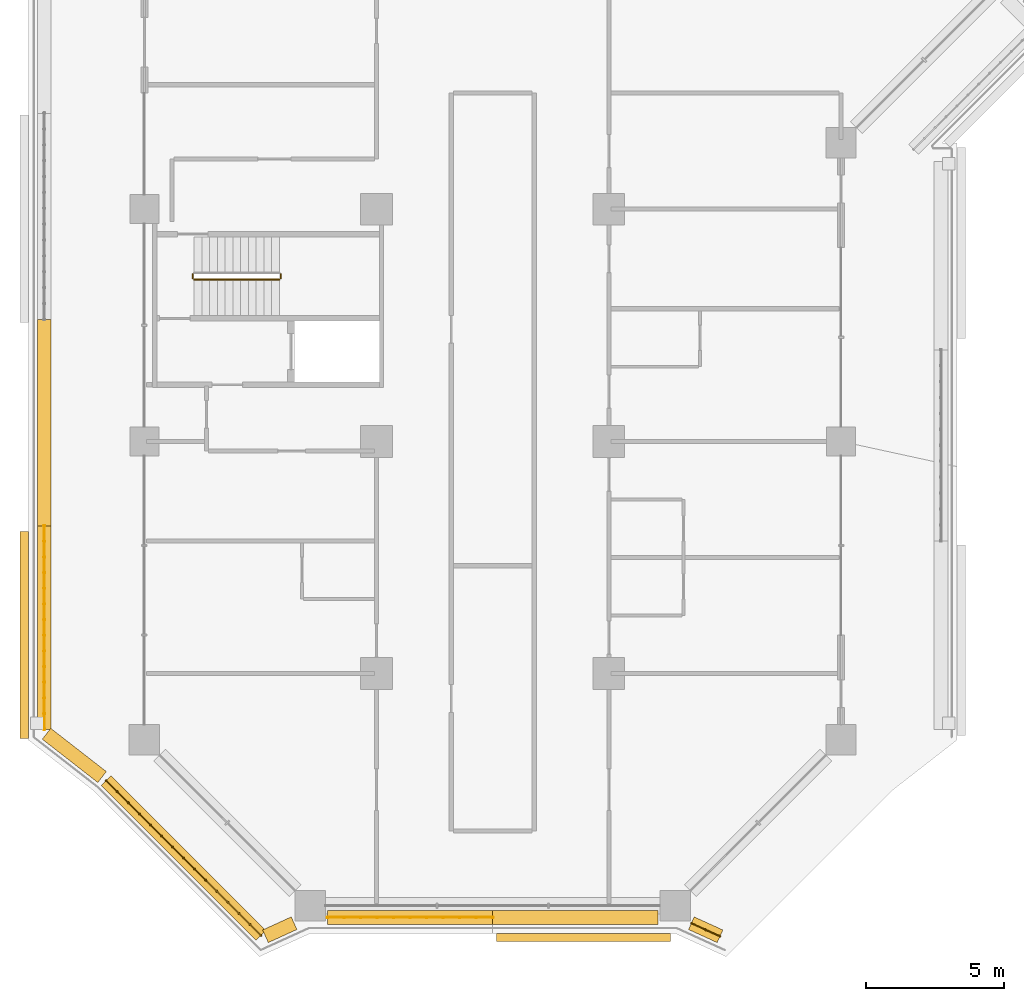
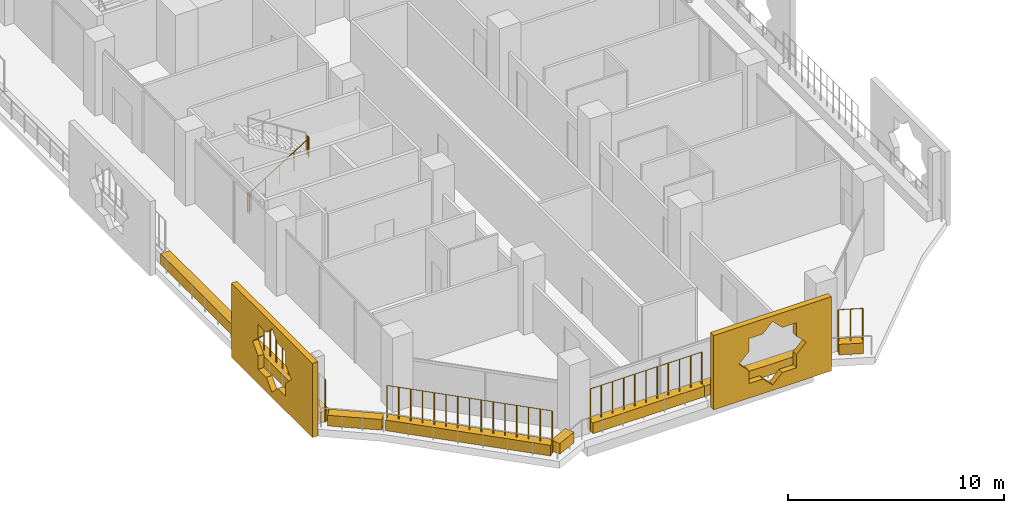
# One storey, part 19 of 25: 10 coverings, 7 railings.
"""IFC4 building model written with IfcOpenShell, lengths in metres."""

from ifc_helpers import new_model, si_unit, direction, frame, origin, origin_2d, place, context, subcontext, project, spatial, polyline, rectangle, circle, outline, extrude, material, material_profile, profile_set, type_object, element, save


model = new_model("IFC4")

# Units and contexts
model_context = context("Model", 3, precision=1e-05, world=origin(), true_north=direction((0.0, 1.0)))
body_context = subcontext(model_context, "Body", "Model", "MODEL_VIEW")
ifc_project = project(units=[si_unit("LENGTHUNIT", "METRE"), si_unit("AREAUNIT", "SQUARE_METRE"), si_unit("VOLUMEUNIT", "CUBIC_METRE"), si_unit("PLANEANGLEUNIT", "RADIAN"), si_unit("MASSUNIT", "GRAM", prefix="KILO")], contexts=[model_context])

# Site, building, storey
site_placement = place(None, origin())
site = spatial("IfcSite", under=ifc_project, at=site_placement, CompositionType="ELEMENT")
building_placement = place(site_placement, origin())
building = spatial("IfcBuilding", under=site, at=building_placement, Name="Kawkab Arch Medical Tower", CompositionType="ELEMENT")
storey_placement = place(building_placement, frame((0.0, 0.0, 136.60009765625)))
storey = spatial("IfcBuildingStorey", under=building, at=storey_placement, Name="L31", CompositionType="ELEMENT", Elevation=136.60009765625)

# Coverings
ifc_material_1 = material(Name="Bronze anodised aluminium mashrabiya panel, eight-point star pattern", Category="aluminium")
ifc_material_profile_1 = material_profile(ifc_material_1, outline(polyline([(-3.14990234375, -2.10009765625), (3.14990234375, -2.10009765625), (3.14990234375, 2.10009765625), (-3.14990234375, 2.10009765625), (-3.14990234375, -2.10009765625)]), holes=[polyline([(1.800048828125, 0.0), (1.272705078125, 0.527099609375), (1.272705078125, 1.272705078125), (0.527099609375, 1.272705078125), (0.0, 1.800048828125), (-0.527099609375, 1.272705078125), (-1.272705078125, 1.272705078125), (-1.272705078125, 0.527099609375), (-1.800048828125, 0.0), (-1.272705078125, -0.527099609375), (-1.272705078125, -1.272705078125), (-0.527099609375, -1.272705078125), (0.0, -1.800048828125), (0.527099609375, -1.272705078125), (1.272705078125, -1.272705078125), (1.272705078125, -0.527099609375), (1.800048828125, 0.0)])]), Name="Mashrabiya panel 6300x4200")
ifc_profile_set_1 = profile_set([ifc_material_profile_1], Name="Bronze anodised aluminium mashrabiya panel, eight-point star pattern")
covering_type_1 = type_object("IfcCoveringType", Name="Mashrabiya panel 6300 x 4200", PredefinedType="USERDEFINED", material=ifc_profile_set_1)
covering_1_placement = place(storey_placement, frame((15.881103515625, -59.800048828125, 1.699951171875), z_axis=(0.0, -1.0, 0.0), x_axis=(1.0, 0.0, 0.0)))
element("IfcCovering", 1, at=covering_1_placement, inside=storey, type_object=covering_type_1, Name="Mashrabiya panel L31.LOG-01-01.1", ObjectType="SCREEN", PredefinedType="USERDEFINED", context=body_context, shape_type="SweptSolid", body=[
    extrude(outline(polyline([(-3.14990234375, -2.10009765625), (3.14990234375, -2.10009765625), (3.14990234375, 2.10009765625), (-3.14990234375, 2.10009765625), (-3.14990234375, -2.10009765625)]), holes=[polyline([(1.800048828125, 0.0), (1.272705078125, 0.527099609375), (1.272705078125, 1.272705078125), (0.527099609375, 1.272705078125), (0.0, 1.800048828125), (-0.527099609375, 1.272705078125), (-1.272705078125, 1.272705078125), (-1.272705078125, 0.527099609375), (-1.800048828125, 0.0), (-1.272705078125, -0.527099609375), (-1.272705078125, -1.272705078125), (-0.527099609375, -1.272705078125), (0.0, -1.800048828125), (0.527099609375, -1.272705078125), (1.272705078125, -1.272705078125), (1.272705078125, -0.527099609375), (1.800048828125, 0.0)])]), origin(), (0.0, 0.0, 1.0), 0.300048828125),
])
ifc_material_2 = material(Name="Bronze anodised aluminium mashrabiya panel, eight-point star pattern", Category="aluminium")
ifc_material_profile_2 = material_profile(ifc_material_2, outline(polyline([(-3.75, -2.10009765625), (3.75, -2.10009765625), (3.75, 2.10009765625), (-3.75, 2.10009765625), (-3.75, -2.10009765625)]), holes=[polyline([(1.800048828125, 0.0), (1.272705078125, 0.527099609375), (1.272705078125, 1.272705078125), (0.527099609375, 1.272705078125), (0.0, 1.800048828125), (-0.527099609375, 1.272705078125), (-1.272705078125, 1.272705078125), (-1.272705078125, 0.527099609375), (-1.800048828125, 0.0), (-1.272705078125, -0.527099609375), (-1.272705078125, -1.272705078125), (-0.527099609375, -1.272705078125), (0.0, -1.800048828125), (0.527099609375, -1.272705078125), (1.272705078125, -1.272705078125), (1.272705078125, -0.527099609375), (1.800048828125, 0.0)])]), Name="Mashrabiya panel 7500x4200")
ifc_profile_set_2 = profile_set([ifc_material_profile_2], Name="Bronze anodised aluminium mashrabiya panel, eight-point star pattern")
covering_type_2 = type_object("IfcCoveringType", Name="Mashrabiya panel 7500 x 4200", PredefinedType="USERDEFINED", material=ifc_profile_set_2)
covering_2_placement = place(storey_placement, frame((-4.199951171875, -49.00439453125, 1.699951171875), z_axis=(-1.0, 0.0, 0.0), x_axis=(0.0, -1.0, 0.0)))
element("IfcCovering", 2, at=covering_2_placement, inside=storey, type_object=covering_type_2, Name="Mashrabiya panel L31.LOG-01-01.2", ObjectType="SCREEN", PredefinedType="USERDEFINED", context=body_context, shape_type="SweptSolid", body=[
    extrude(outline(polyline([(-3.75, -2.10009765625), (3.75, -2.10009765625), (3.75, 2.10009765625), (-3.75, 2.10009765625), (-3.75, -2.10009765625)]), holes=[polyline([(1.800048828125, 0.0), (1.272705078125, 0.527099609375), (1.272705078125, 1.272705078125), (0.527099609375, 1.272705078125), (0.0, 1.800048828125), (-0.527099609375, 1.272705078125), (-1.272705078125, 1.272705078125), (-1.272705078125, 0.527099609375), (-1.800048828125, 0.0), (-1.272705078125, -0.527099609375), (-1.272705078125, -1.272705078125), (-0.527099609375, -1.272705078125), (0.0, -1.800048828125), (0.527099609375, -1.272705078125), (1.272705078125, -1.272705078125), (1.272705078125, -0.527099609375), (1.800048828125, 0.0)])]), origin(), (0.0, 0.0, 1.0), 0.300048828125),
])
ifc_material_3 = material(Name="Planting soil in a precast trough", Category="concrete")
ifc_material_profile_3 = material_profile(ifc_material_3, rectangle(XDim=0.5, YDim=0.60009765625, at=origin_2d()), Name="Trough 500x600")
ifc_profile_set_3 = profile_set([ifc_material_profile_3], Name="Planting soil in a precast trough")
covering_type_3 = type_object("IfcCoveringType", Name="Planter trough 500 x 600", PredefinedType="USERDEFINED", material=ifc_profile_set_3)
covering_3_placement = place(storey_placement, frame((20.821044921875, -59.902099609375, 0.2998046875), z_axis=(-0.909821891123, 0.414998947508, 0.0), x_axis=(-0.414998947508, -0.909821891123, 0.0)))
element("IfcCovering", 3, at=covering_3_placement, inside=storey, type_object=covering_type_3, Name="Planter L31.LOG-01-01.1", ObjectType="PLANTER", PredefinedType="USERDEFINED", context=body_context, shape_type="SweptSolid", body=[
    extrude(rectangle(XDim=0.5, YDim=0.60009765625, at=origin_2d()), origin(), (0.0, 0.0, 1.0), 1.1376953125),
])
covering_4_placement = place(storey_placement, frame((18.570068359375, -59.219970703125, 0.2998046875), z_axis=(-1.0, 0.0, 0.0), x_axis=(0.0, -1.0, 0.0)))
element("IfcCovering", 4, at=covering_4_placement, inside=storey, type_object=covering_type_3, Name="Planter L31.LOG-01-01.2", ObjectType="PLANTER", PredefinedType="USERDEFINED", context=body_context, shape_type="SweptSolid", body=[
    extrude(rectangle(XDim=0.5, YDim=0.60009765625, at=origin_2d()), origin(), (0.0, 0.0, 1.0), 5.969970703125),
])
covering_5_placement = place(storey_placement, frame((12.60009765625, -59.219970703125, 0.2998046875), z_axis=(-1.0, 0.0, 0.0), x_axis=(0.0, -1.0, 0.0)))
element("IfcCovering", 5, at=covering_5_placement, inside=storey, type_object=covering_type_3, Name="Planter L31.LOG-01-01.3", ObjectType="PLANTER", PredefinedType="USERDEFINED", context=body_context, shape_type="SweptSolid", body=[
    extrude(rectangle(XDim=0.5, YDim=0.60009765625, at=origin_2d()), origin(), (0.0, 0.0, 1.0), 5.97021484375),
])
covering_6_placement = place(storey_placement, frame((5.4140625, -59.429931640625, 0.2998046875), z_axis=(-0.909821891123, -0.414998947508, 0.0), x_axis=(0.414998947508, -0.909821891123, 0.0)))
element("IfcCovering", 6, at=covering_6_placement, inside=storey, type_object=covering_type_3, Name="Planter L31.LOG-01-01.4", ObjectType="PLANTER", PredefinedType="USERDEFINED", context=body_context, shape_type="SweptSolid", body=[
    extrude(rectangle(XDim=0.5, YDim=0.60009765625, at=origin_2d()), origin(), (0.0, 0.0, 1.0), 1.1376953125),
])
covering_7_placement = place(storey_placement, frame((4.217041015625, -59.873046875, 0.2998046875), z_axis=(-0.707106781187, 0.707106781187, 0.0), x_axis=(-0.707106781187, -0.707106781187, 0.0)))
element("IfcCovering", 7, at=covering_7_placement, inside=storey, type_object=covering_type_3, Name="Planter L31.LOG-01-01.5", ObjectType="PLANTER", PredefinedType="USERDEFINED", context=body_context, shape_type="SweptSolid", body=[
    extrude(rectangle(XDim=0.5, YDim=0.60009765625, at=origin_2d()), origin(), (0.0, 0.0, 1.0), 7.919677734375),
])
covering_8_placement = place(storey_placement, frame((-1.531982421875, -54.14111328125, 0.2998046875), z_axis=(-0.789228258436, 0.614099956103, 0.0), x_axis=(-0.614099956103, -0.789228258436, 0.0)))
element("IfcCovering", 8, at=covering_8_placement, inside=storey, type_object=covering_type_3, Name="Planter L31.LOG-01-01.6", ObjectType="PLANTER", PredefinedType="USERDEFINED", context=body_context, shape_type="SweptSolid", body=[
    extrude(rectangle(XDim=0.5, YDim=0.60009765625, at=origin_2d()), origin(), (0.0, 0.0, 1.0), 2.545654296875),
])
covering_9_placement = place(storey_placement, frame((-3.6201171875, -52.416015625, 0.2998046875), z_axis=(0.0, 1.0, 0.0), x_axis=(-1.0, 0.0, 0.0)))
element("IfcCovering", 9, at=covering_9_placement, inside=storey, type_object=covering_type_3, Name="Planter L31.LOG-01-01.7", ObjectType="PLANTER", PredefinedType="USERDEFINED", context=body_context, shape_type="SweptSolid", body=[
    extrude(rectangle(XDim=0.5, YDim=0.60009765625, at=origin_2d()), origin(), (0.0, 0.0, 1.0), 7.361083984375),
])
covering_10_placement = place(storey_placement, frame((-3.6201171875, -45.054931640625, 0.2998046875), z_axis=(0.0, 1.0, 0.0), x_axis=(-1.0, 0.0, 0.0)))
element("IfcCovering", 10, at=covering_10_placement, inside=storey, type_object=covering_type_3, Name="Planter L31.LOG-01-01.8", ObjectType="PLANTER", PredefinedType="USERDEFINED", context=body_context, shape_type="SweptSolid", body=[
    extrude(rectangle(XDim=0.5, YDim=0.60009765625, at=origin_2d()), origin(), (0.0, 0.0, 1.0), 7.4619140625),
])

# Railings
ifc_material_4 = material(Name="Bronze anodised aluminium trellis for climbing plants", Category="aluminium")
railing_type_1 = type_object("IfcRailingType", Name="Planting trellis 2400", PredefinedType="USERDEFINED", material=ifc_material_4)
railing_1_placement = place(storey_placement, frame((20.821044921875, -59.902099609375, 0.0)))
element("IfcRailing", 11, at=railing_1_placement, inside=storey, type_object=railing_type_1, Name="Planting trellis L31.LOG-01-01.1", ObjectType="TRELLIS", PredefinedType="USERDEFINED", context=body_context, shape_type="SweptSolid", body=[
    extrude(circle(Radius=0.01513671875, at=origin_2d()), frame((0.0, 0.0, 2.384765625), z_axis=(-0.909821891123, 0.414998947508, 0.0), x_axis=(-0.414998947508, -0.909821891123, 0.0)), (0.0, 0.0, 1.0), 1.1376953125),
    extrude(circle(Radius=0.030029296875, at=origin_2d()), origin(), (0.0, 0.0, 1.0), 2.369873046875),
    extrude(circle(Radius=0.030029296875, at=origin_2d()), frame((-0.517578125, 0.236083984375, 0.0)), (0.0, 0.0, 1.0), 2.369873046875),
    extrude(circle(Radius=0.030029296875, at=origin_2d()), frame((-1.03515625, 0.47216796875, 0.0)), (0.0, 0.0, 1.0), 2.369873046875),
])
railing_2_placement = place(storey_placement, frame((12.60009765625, -59.219970703125, 0.0)))
element("IfcRailing", 12, at=railing_2_placement, inside=storey, type_object=railing_type_1, Name="Planting trellis L31.LOG-01-01.3", ObjectType="TRELLIS", PredefinedType="USERDEFINED", context=body_context, shape_type="SweptSolid", body=[
    extrude(circle(Radius=0.01513671875, at=origin_2d()), frame((0.0, 0.0, 2.384765625), z_axis=(-1.0, 0.0, 0.0), x_axis=(0.0, -1.0, 0.0)), (0.0, 0.0, 1.0), 5.97021484375),
    extrude(circle(Radius=0.030029296875, at=origin_2d()), origin(), (0.0, 0.0, 1.0), 2.369873046875),
    extrude(circle(Radius=0.030029296875, at=origin_2d()), frame((-0.596923828125, 0.0, 0.0)), (0.0, 0.0, 1.0), 2.369873046875),
    extrude(circle(Radius=0.030029296875, at=origin_2d()), frame((-1.194091796875, 0.0, 0.0)), (0.0, 0.0, 1.0), 2.369873046875),
    extrude(circle(Radius=0.030029296875, at=origin_2d()), frame((-1.791015625, 0.0, 0.0)), (0.0, 0.0, 1.0), 2.369873046875),
    extrude(circle(Radius=0.030029296875, at=origin_2d()), frame((-2.38818359375, 0.0, 0.0)), (0.0, 0.0, 1.0), 2.369873046875),
    extrude(circle(Radius=0.030029296875, at=origin_2d()), frame((-2.985107421875, 0.0, 0.0)), (0.0, 0.0, 1.0), 2.369873046875),
    extrude(circle(Radius=0.030029296875, at=origin_2d()), frame((-3.58203125, 0.0, 0.0)), (0.0, 0.0, 1.0), 2.369873046875),
    extrude(circle(Radius=0.030029296875, at=origin_2d()), frame((-4.17919921875, 0.0, 0.0)), (0.0, 0.0, 1.0), 2.369873046875),
    extrude(circle(Radius=0.030029296875, at=origin_2d()), frame((-4.776123046875, 0.0, 0.0)), (0.0, 0.0, 1.0), 2.369873046875),
    extrude(circle(Radius=0.030029296875, at=origin_2d()), frame((-5.373291015625, 0.0, 0.0)), (0.0, 0.0, 1.0), 2.369873046875),
    extrude(circle(Radius=0.030029296875, at=origin_2d()), frame((-5.97021484375, 0.0, 0.0)), (0.0, 0.0, 1.0), 2.369873046875),
])
railing_3_placement = place(storey_placement, frame((4.217041015625, -59.873046875, 0.0)))
element("IfcRailing", 13, at=railing_3_placement, inside=storey, type_object=railing_type_1, Name="Planting trellis L31.LOG-01-01.5", ObjectType="TRELLIS", PredefinedType="USERDEFINED", context=body_context, shape_type="SweptSolid", body=[
    extrude(circle(Radius=0.01513671875, at=origin_2d()), frame((0.0, 0.0, 2.384765625), z_axis=(-0.707106781187, 0.707106781187, 0.0), x_axis=(-0.707106781187, -0.707106781187, 0.0)), (0.0, 0.0, 1.0), 7.919677734375),
    extrude(circle(Radius=0.030029296875, at=origin_2d()), origin(), (0.0, 0.0, 1.0), 2.369873046875),
    extrude(circle(Radius=0.030029296875, at=origin_2d()), frame((-0.39990234375, 0.39990234375, 0.0)), (0.0, 0.0, 1.0), 2.369873046875),
    extrude(circle(Radius=0.030029296875, at=origin_2d()), frame((-0.800048828125, 0.800048828125, 0.0)), (0.0, 0.0, 1.0), 2.369873046875),
    extrude(circle(Radius=0.030029296875, at=origin_2d()), frame((-1.199951171875, 1.199951171875, 0.0)), (0.0, 0.0, 1.0), 2.369873046875),
    extrude(circle(Radius=0.030029296875, at=origin_2d()), frame((-1.60009765625, 1.60009765625, 0.0)), (0.0, 0.0, 1.0), 2.369873046875),
    extrude(circle(Radius=0.030029296875, at=origin_2d()), frame((-2.0, 2.0, 0.0)), (0.0, 0.0, 1.0), 2.369873046875),
    extrude(circle(Radius=0.030029296875, at=origin_2d()), frame((-2.400146484375, 2.400146484375, 0.0)), (0.0, 0.0, 1.0), 2.369873046875),
    extrude(circle(Radius=0.030029296875, at=origin_2d()), frame((-2.800048828125, 2.800048828125, 0.0)), (0.0, 0.0, 1.0), 2.369873046875),
    extrude(circle(Radius=0.030029296875, at=origin_2d()), frame((-3.199951171875, 3.199951171875, 0.0)), (0.0, 0.0, 1.0), 2.369873046875),
    extrude(circle(Radius=0.030029296875, at=origin_2d()), frame((-3.60009765625, 3.60009765625, 0.0)), (0.0, 0.0, 1.0), 2.369873046875),
    extrude(circle(Radius=0.030029296875, at=origin_2d()), frame((-4.0, 4.0, 0.0)), (0.0, 0.0, 1.0), 2.369873046875),
    extrude(circle(Radius=0.030029296875, at=origin_2d()), frame((-4.400146484375, 4.400146484375, 0.0)), (0.0, 0.0, 1.0), 2.369873046875),
    extrude(circle(Radius=0.030029296875, at=origin_2d()), frame((-4.800048828125, 4.800048828125, 0.0)), (0.0, 0.0, 1.0), 2.369873046875),
    extrude(circle(Radius=0.030029296875, at=origin_2d()), frame((-5.2001953125, 5.2001953125, 0.0)), (0.0, 0.0, 1.0), 2.369873046875),
    extrude(circle(Radius=0.030029296875, at=origin_2d()), frame((-5.60009765625, 5.60009765625, 0.0)), (0.0, 0.0, 1.0), 2.369873046875),
])
railing_4_placement = place(storey_placement, frame((-3.6201171875, -52.416015625, 0.0)))
element("IfcRailing", 14, at=railing_4_placement, inside=storey, type_object=railing_type_1, Name="Planting trellis L31.LOG-01-01.7", ObjectType="TRELLIS", PredefinedType="USERDEFINED", context=body_context, shape_type="SweptSolid", body=[
    extrude(circle(Radius=0.01513671875, at=origin_2d()), frame((0.0, 0.0, 2.384765625), z_axis=(0.0, 1.0, 0.0), x_axis=(-1.0, 0.0, 0.0)), (0.0, 0.0, 1.0), 7.361083984375),
    extrude(circle(Radius=0.030029296875, at=origin_2d()), origin(), (0.0, 0.0, 1.0), 2.369873046875),
    extrude(circle(Radius=0.030029296875, at=origin_2d()), frame((0.0, 0.566162109375, 0.0)), (0.0, 0.0, 1.0), 2.369873046875),
    extrude(circle(Radius=0.030029296875, at=origin_2d()), frame((0.0, 1.132568359375, 0.0)), (0.0, 0.0, 1.0), 2.369873046875),
    extrude(circle(Radius=0.030029296875, at=origin_2d()), frame((0.0, 1.69873046875, 0.0)), (0.0, 0.0, 1.0), 2.369873046875),
    extrude(circle(Radius=0.030029296875, at=origin_2d()), frame((0.0, 2.264892578125, 0.0)), (0.0, 0.0, 1.0), 2.369873046875),
    extrude(circle(Radius=0.030029296875, at=origin_2d()), frame((0.0, 2.831298828125, 0.0)), (0.0, 0.0, 1.0), 2.369873046875),
    extrude(circle(Radius=0.030029296875, at=origin_2d()), frame((0.0, 3.3974609375, 0.0)), (0.0, 0.0, 1.0), 2.369873046875),
    extrude(circle(Radius=0.030029296875, at=origin_2d()), frame((0.0, 3.963623046875, 0.0)), (0.0, 0.0, 1.0), 2.369873046875),
    extrude(circle(Radius=0.030029296875, at=origin_2d()), frame((0.0, 4.52978515625, 0.0)), (0.0, 0.0, 1.0), 2.369873046875),
    extrude(circle(Radius=0.030029296875, at=origin_2d()), frame((0.0, 5.09619140625, 0.0)), (0.0, 0.0, 1.0), 2.369873046875),
    extrude(circle(Radius=0.030029296875, at=origin_2d()), frame((0.0, 5.662353515625, 0.0)), (0.0, 0.0, 1.0), 2.369873046875),
    extrude(circle(Radius=0.030029296875, at=origin_2d()), frame((0.0, 6.228515625, 0.0)), (0.0, 0.0, 1.0), 2.369873046875),
    extrude(circle(Radius=0.030029296875, at=origin_2d()), frame((0.0, 6.794921875, 0.0)), (0.0, 0.0, 1.0), 2.369873046875),
    extrude(circle(Radius=0.030029296875, at=origin_2d()), frame((0.0, 7.361083984375, 0.0)), (0.0, 0.0, 1.0), 2.369873046875),
])
ifc_material_5 = material(Name="Stainless steel", Category="steel")
railing_type_2 = type_object("IfcRailingType", Name="Stair guard 1100", PredefinedType="GUARDRAIL", material=ifc_material_5)
railing_5_placement = place(storey_placement, frame((1.800048828125, -36.14990234375, 0.1748046875)))
element("IfcRailing", 15, at=railing_5_placement, inside=storey, type_object=railing_type_2, Name="L31 ST6 stair guard 1", PredefinedType="GUARDRAIL", context=body_context, shape_type="SweptSolid", body=[
    extrude(circle(Radius=0.02392578125, at=origin_2d()), frame((0.0, 0.0, 1.076171875), z_axis=(0.847979421464, 0.0, 0.530029150871), x_axis=(0.0, 1.0, 0.0)), (0.0, 0.0, 1.0), 3.632080078125),
    extrude(circle(Radius=0.02099609375, at=origin_2d()), origin(), (0.0, 0.0, 1.0), 1.052001953125),
    extrude(circle(Radius=0.02099609375, at=origin_2d()), frame((0.77001953125, 0.0, 0.481201171875)), (0.0, 0.0, 1.0), 1.052001953125),
    extrude(circle(Radius=0.02099609375, at=origin_2d()), frame((1.5400390625, 0.0, 0.96240234375)), (0.0, 0.0, 1.0), 1.052001953125),
    extrude(circle(Radius=0.02099609375, at=origin_2d()), frame((2.309814453125, 0.0, 1.44384765625)), (0.0, 0.0, 1.0), 1.052001953125),
    extrude(circle(Radius=0.02099609375, at=origin_2d()), frame((3.079833984375, 0.0, 1.925048828125)), (0.0, 0.0, 1.0), 1.052001953125),
])
for number, where, name in (
    (16, (4.929931640625, -36.10009765625, 2.099853515625), "L31 ST6 stair guard 2"),
    (17, (1.75, -36.10009765625, 0.0), "L31 ST6 stair guard 4"),
):
    element("IfcRailing", number, at=place(storey_placement, frame(where)), inside=storey, type_object=railing_type_2, Name=name, PredefinedType="GUARDRAIL", context=body_context, shape_type="SweptSolid", body=[
        extrude(circle(Radius=0.02392578125, at=origin_2d()), frame((0.0, 0.0, 1.076171875), z_axis=(0.0, 1.0, 0.0), x_axis=(-1.0, 0.0, 0.0)), (0.0, 0.0, 1.0), 0.150146484375),
        extrude(circle(Radius=0.02099609375, at=origin_2d()), origin(), (0.0, 0.0, 1.0), 1.052001953125),
        extrude(circle(Radius=0.02099609375, at=origin_2d()), frame((0.0, 0.150146484375, 0.0)), (0.0, 0.0, 1.0), 1.052001953125),
    ])

save(model, "model.ifc")
